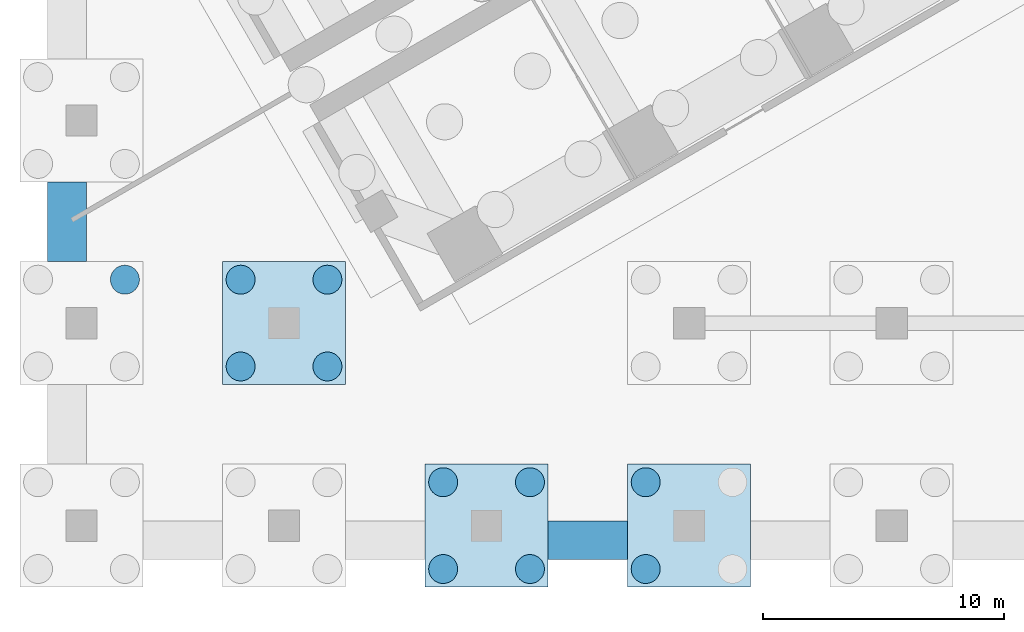
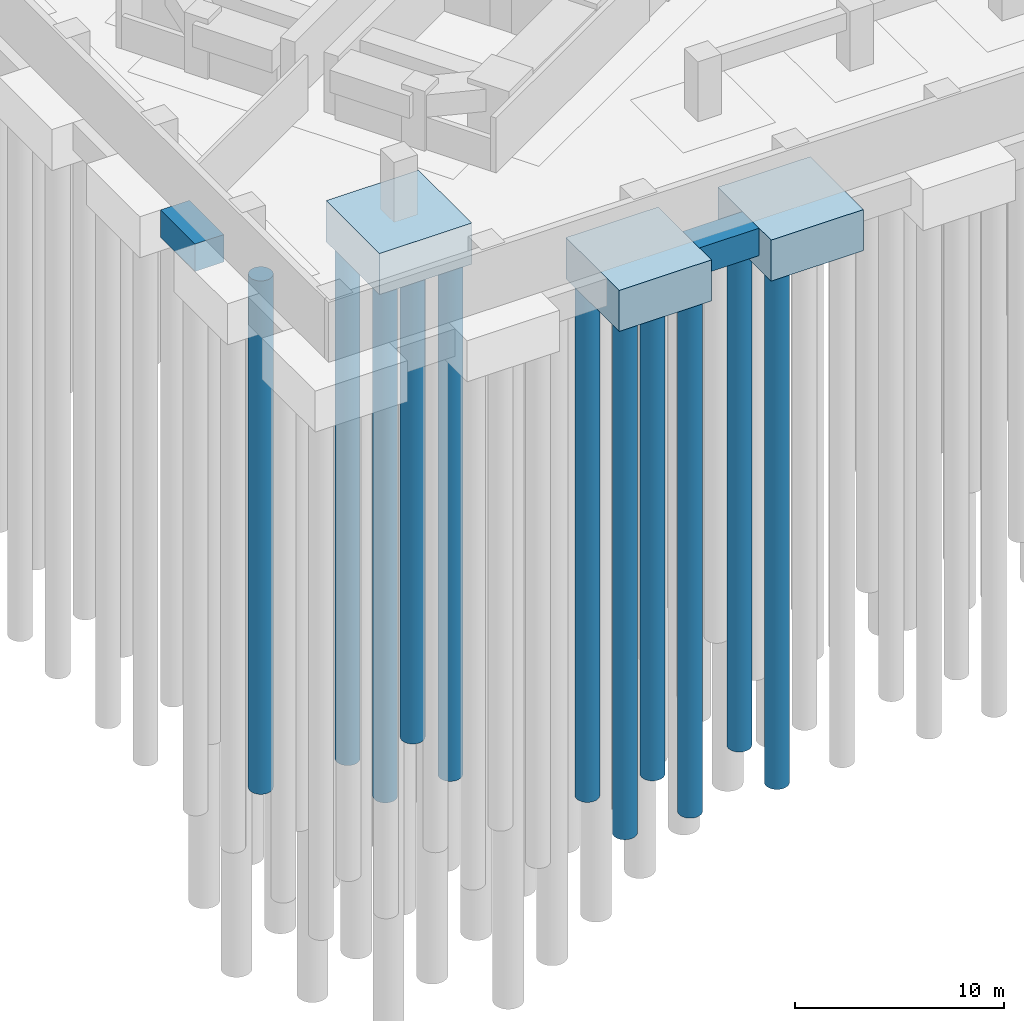
# One storey, part 2 of 73: 11 piles, 5 footings.
"""IFC4 building model written with IfcOpenShell, lengths in metres."""

from ifc_helpers import new_model, si_unit, direction, frame, origin, origin_2d, place, context, subcontext, project, spatial, polyline, circle, outline, extrude, material, material_profile, profile_set, type_object, element, save


model = new_model("IFC4")

# Units and contexts
model_context = context("Model", 3, precision=1e-05, world=origin(), true_north=direction((0.0, 1.0)))
body_context = subcontext(model_context, "Body", "Model", "MODEL_VIEW")
ifc_project = project(units=[si_unit("LENGTHUNIT", "METRE"), si_unit("AREAUNIT", "SQUARE_METRE"), si_unit("VOLUMEUNIT", "CUBIC_METRE"), si_unit("PLANEANGLEUNIT", "RADIAN"), si_unit("MASSUNIT", "GRAM", prefix="KILO")], contexts=[model_context])

# Site, building, storey
site_placement = place(None, origin())
site = spatial("IfcSite", under=ifc_project, at=site_placement, CompositionType="ELEMENT")
building_placement = place(site_placement, origin())
building = spatial("IfcBuilding", under=site, at=building_placement, Name="Impinga Residences", CompositionType="ELEMENT")
storey_placement = place(building_placement, frame((0.0, 0.0, -10.5)))
storey = spatial("IfcBuildingStorey", under=building, at=storey_placement, Name="B3", CompositionType="ELEMENT", Elevation=-10.5)

# Piles
ifc_material_1 = material(Name="Concrete C35/45", Category="concrete")
ifc_material_profile = material_profile(ifc_material_1, circle(Radius=0.60009765625, at=origin_2d()), Name="D1200")
ifc_profile_set = profile_set([ifc_material_profile], Name="Concrete C35/45")
pile_type = type_object("IfcPileType", Name="BP2 bored pile D1200", PredefinedType="BORED", material=ifc_profile_set)
pile_1_placement = place(storey_placement, frame((-48.60009765625, -31.800048828125, -2.39990234375), z_axis=(0.0, 0.0, -1.0), x_axis=(1.0, 0.0, 0.0)))
element("IfcPile", 1, at=pile_1_placement, inside=storey, type_object=pile_type, Name="Cap pile BP2 1/B-3", PredefinedType="BORED", context=body_context, shape_type="SweptSolid", body=[
    extrude(outline(polyline([(0.60009765625, 0.0), (0.59716796875, 0.058837890625), (0.58837890625, 0.116943359375), (0.57421875, 0.174072265625), (0.554443359375, 0.2294921875), (0.529052734375, 0.282958984375), (0.498779296875, 0.333251953125), (0.4638671875, 0.380615234375), (0.42431640625, 0.42431640625), (0.380615234375, 0.4638671875), (0.333251953125, 0.498779296875), (0.282958984375, 0.529052734375), (0.2294921875, 0.554443359375), (0.174072265625, 0.57421875), (0.116943359375, 0.58837890625), (0.058837890625, 0.59716796875), (0.0, 0.60009765625), (-0.058837890625, 0.59716796875), (-0.116943359375, 0.58837890625), (-0.174072265625, 0.57421875), (-0.2294921875, 0.554443359375), (-0.282958984375, 0.529052734375), (-0.333251953125, 0.498779296875), (-0.380615234375, 0.4638671875), (-0.42431640625, 0.42431640625), (-0.4638671875, 0.380615234375), (-0.498779296875, 0.333251953125), (-0.529052734375, 0.282958984375), (-0.554443359375, 0.2294921875), (-0.57421875, 0.174072265625), (-0.58837890625, 0.116943359375), (-0.59716796875, 0.058837890625), (-0.60009765625, 0.0), (-0.59716796875, -0.058837890625), (-0.58837890625, -0.116943359375), (-0.57421875, -0.174072265625), (-0.554443359375, -0.2294921875), (-0.529052734375, -0.282958984375), (-0.498779296875, -0.333251953125), (-0.4638671875, -0.380615234375), (-0.42431640625, -0.42431640625), (-0.380615234375, -0.4638671875), (-0.333251953125, -0.498779296875), (-0.282958984375, -0.529052734375), (-0.2294921875, -0.554443359375), (-0.174072265625, -0.57421875), (-0.116943359375, -0.58837890625), (-0.058837890625, -0.59716796875), (0.0, -0.60009765625), (0.058837890625, -0.59716796875), (0.116943359375, -0.58837890625), (0.174072265625, -0.57421875), (0.2294921875, -0.554443359375), (0.282958984375, -0.529052734375), (0.333251953125, -0.498779296875), (0.380615234375, -0.4638671875), (0.42431640625, -0.42431640625), (0.4638671875, -0.380615234375), (0.498779296875, -0.333251953125), (0.529052734375, -0.282958984375), (0.554443359375, -0.2294921875), (0.57421875, -0.174072265625), (0.58837890625, -0.116943359375), (0.59716796875, -0.058837890625), (0.60009765625, 0.0)])), origin(), (0.0, 0.0, 1.0), 30.0),
])
pile_2_placement = place(storey_placement, frame((-43.800048828125, -35.39990234375, -2.39990234375), z_axis=(0.0, 0.0, -1.0), x_axis=(1.0, 0.0, 0.0)))
element("IfcPile", 2, at=pile_2_placement, inside=storey, type_object=pile_type, Name="Cap pile BP2 2/B-1", PredefinedType="BORED", context=body_context, shape_type="SweptSolid", body=[
    extrude(outline(polyline([(0.60009765625, 0.0), (0.59716796875, 0.058837890625), (0.58837890625, 0.116943359375), (0.57421875, 0.174072265625), (0.554443359375, 0.2294921875), (0.529052734375, 0.282958984375), (0.498779296875, 0.333251953125), (0.4638671875, 0.380615234375), (0.42431640625, 0.42431640625), (0.380615234375, 0.4638671875), (0.333251953125, 0.498779296875), (0.282958984375, 0.529052734375), (0.2294921875, 0.554443359375), (0.174072265625, 0.57421875), (0.116943359375, 0.58837890625), (0.058837890625, 0.59716796875), (0.0, 0.60009765625), (-0.058837890625, 0.59716796875), (-0.116943359375, 0.58837890625), (-0.174072265625, 0.57421875), (-0.2294921875, 0.554443359375), (-0.282958984375, 0.529052734375), (-0.333251953125, 0.498779296875), (-0.380615234375, 0.4638671875), (-0.42431640625, 0.42431640625), (-0.4638671875, 0.380615234375), (-0.498779296875, 0.333251953125), (-0.529052734375, 0.282958984375), (-0.554443359375, 0.2294921875), (-0.57421875, 0.174072265625), (-0.58837890625, 0.116943359375), (-0.59716796875, 0.058837890625), (-0.60009765625, 0.0), (-0.59716796875, -0.058837890625), (-0.58837890625, -0.116943359375), (-0.57421875, -0.174072265625), (-0.554443359375, -0.2294921875), (-0.529052734375, -0.282958984375), (-0.498779296875, -0.333251953125), (-0.4638671875, -0.380615234375), (-0.42431640625, -0.42431640625), (-0.380615234375, -0.4638671875), (-0.333251953125, -0.498779296875), (-0.282958984375, -0.529052734375), (-0.2294921875, -0.554443359375), (-0.174072265625, -0.57421875), (-0.116943359375, -0.58837890625), (-0.058837890625, -0.59716796875), (0.0, -0.60009765625), (0.058837890625, -0.59716796875), (0.116943359375, -0.58837890625), (0.174072265625, -0.57421875), (0.2294921875, -0.554443359375), (0.282958984375, -0.529052734375), (0.333251953125, -0.498779296875), (0.380615234375, -0.4638671875), (0.42431640625, -0.42431640625), (0.4638671875, -0.380615234375), (0.498779296875, -0.333251953125), (0.529052734375, -0.282958984375), (0.554443359375, -0.2294921875), (0.57421875, -0.174072265625), (0.58837890625, -0.116943359375), (0.59716796875, -0.058837890625), (0.60009765625, 0.0)])), origin(), (0.0, 0.0, 1.0), 30.0),
])
pile_3_placement = place(storey_placement, frame((-40.199951171875, -35.39990234375, -2.39990234375), z_axis=(0.0, 0.0, -1.0), x_axis=(1.0, 0.0, 0.0)))
element("IfcPile", 3, at=pile_3_placement, inside=storey, type_object=pile_type, Name="Cap pile BP2 2/B-2", PredefinedType="BORED", context=body_context, shape_type="SweptSolid", body=[
    extrude(outline(polyline([(0.60009765625, 0.0), (0.59716796875, 0.058837890625), (0.58837890625, 0.116943359375), (0.57421875, 0.174072265625), (0.554443359375, 0.2294921875), (0.529052734375, 0.282958984375), (0.498779296875, 0.333251953125), (0.4638671875, 0.380615234375), (0.42431640625, 0.42431640625), (0.380615234375, 0.4638671875), (0.333251953125, 0.498779296875), (0.282958984375, 0.529052734375), (0.2294921875, 0.554443359375), (0.174072265625, 0.57421875), (0.116943359375, 0.58837890625), (0.058837890625, 0.59716796875), (0.0, 0.60009765625), (-0.058837890625, 0.59716796875), (-0.116943359375, 0.58837890625), (-0.174072265625, 0.57421875), (-0.2294921875, 0.554443359375), (-0.282958984375, 0.529052734375), (-0.333251953125, 0.498779296875), (-0.380615234375, 0.4638671875), (-0.42431640625, 0.42431640625), (-0.4638671875, 0.380615234375), (-0.498779296875, 0.333251953125), (-0.529052734375, 0.282958984375), (-0.554443359375, 0.2294921875), (-0.57421875, 0.174072265625), (-0.58837890625, 0.116943359375), (-0.59716796875, 0.058837890625), (-0.60009765625, 0.0), (-0.59716796875, -0.058837890625), (-0.58837890625, -0.116943359375), (-0.57421875, -0.174072265625), (-0.554443359375, -0.2294921875), (-0.529052734375, -0.282958984375), (-0.498779296875, -0.333251953125), (-0.4638671875, -0.380615234375), (-0.42431640625, -0.42431640625), (-0.380615234375, -0.4638671875), (-0.333251953125, -0.498779296875), (-0.282958984375, -0.529052734375), (-0.2294921875, -0.554443359375), (-0.174072265625, -0.57421875), (-0.116943359375, -0.58837890625), (-0.058837890625, -0.59716796875), (0.0, -0.60009765625), (0.058837890625, -0.59716796875), (0.116943359375, -0.58837890625), (0.174072265625, -0.57421875), (0.2294921875, -0.554443359375), (0.282958984375, -0.529052734375), (0.333251953125, -0.498779296875), (0.380615234375, -0.4638671875), (0.42431640625, -0.42431640625), (0.4638671875, -0.380615234375), (0.498779296875, -0.333251953125), (0.529052734375, -0.282958984375), (0.554443359375, -0.2294921875), (0.57421875, -0.174072265625), (0.58837890625, -0.116943359375), (0.59716796875, -0.058837890625), (0.60009765625, 0.0)])), origin(), (0.0, 0.0, 1.0), 30.0),
])
pile_4_placement = place(storey_placement, frame((-40.199951171875, -31.800048828125, -2.39990234375), z_axis=(0.0, 0.0, -1.0), x_axis=(1.0, 0.0, 0.0)))
element("IfcPile", 4, at=pile_4_placement, inside=storey, type_object=pile_type, Name="Cap pile BP2 2/B-3", PredefinedType="BORED", context=body_context, shape_type="SweptSolid", body=[
    extrude(outline(polyline([(0.60009765625, 0.0), (0.59716796875, 0.058837890625), (0.58837890625, 0.116943359375), (0.57421875, 0.174072265625), (0.554443359375, 0.2294921875), (0.529052734375, 0.282958984375), (0.498779296875, 0.333251953125), (0.4638671875, 0.380615234375), (0.42431640625, 0.42431640625), (0.380615234375, 0.4638671875), (0.333251953125, 0.498779296875), (0.282958984375, 0.529052734375), (0.2294921875, 0.554443359375), (0.174072265625, 0.57421875), (0.116943359375, 0.58837890625), (0.058837890625, 0.59716796875), (0.0, 0.60009765625), (-0.058837890625, 0.59716796875), (-0.116943359375, 0.58837890625), (-0.174072265625, 0.57421875), (-0.2294921875, 0.554443359375), (-0.282958984375, 0.529052734375), (-0.333251953125, 0.498779296875), (-0.380615234375, 0.4638671875), (-0.42431640625, 0.42431640625), (-0.4638671875, 0.380615234375), (-0.498779296875, 0.333251953125), (-0.529052734375, 0.282958984375), (-0.554443359375, 0.2294921875), (-0.57421875, 0.174072265625), (-0.58837890625, 0.116943359375), (-0.59716796875, 0.058837890625), (-0.60009765625, 0.0), (-0.59716796875, -0.058837890625), (-0.58837890625, -0.116943359375), (-0.57421875, -0.174072265625), (-0.554443359375, -0.2294921875), (-0.529052734375, -0.282958984375), (-0.498779296875, -0.333251953125), (-0.4638671875, -0.380615234375), (-0.42431640625, -0.42431640625), (-0.380615234375, -0.4638671875), (-0.333251953125, -0.498779296875), (-0.282958984375, -0.529052734375), (-0.2294921875, -0.554443359375), (-0.174072265625, -0.57421875), (-0.116943359375, -0.58837890625), (-0.058837890625, -0.59716796875), (0.0, -0.60009765625), (0.058837890625, -0.59716796875), (0.116943359375, -0.58837890625), (0.174072265625, -0.57421875), (0.2294921875, -0.554443359375), (0.282958984375, -0.529052734375), (0.333251953125, -0.498779296875), (0.380615234375, -0.4638671875), (0.42431640625, -0.42431640625), (0.4638671875, -0.380615234375), (0.498779296875, -0.333251953125), (0.529052734375, -0.282958984375), (0.554443359375, -0.2294921875), (0.57421875, -0.174072265625), (0.58837890625, -0.116943359375), (0.59716796875, -0.058837890625), (0.60009765625, 0.0)])), origin(), (0.0, 0.0, 1.0), 30.0),
])
pile_5_placement = place(storey_placement, frame((-43.800048828125, -31.800048828125, -2.39990234375), z_axis=(0.0, 0.0, -1.0), x_axis=(1.0, 0.0, 0.0)))
element("IfcPile", 5, at=pile_5_placement, inside=storey, type_object=pile_type, Name="Cap pile BP2 2/B-4", PredefinedType="BORED", context=body_context, shape_type="SweptSolid", body=[
    extrude(outline(polyline([(0.60009765625, 0.0), (0.59716796875, 0.058837890625), (0.58837890625, 0.116943359375), (0.57421875, 0.174072265625), (0.554443359375, 0.2294921875), (0.529052734375, 0.282958984375), (0.498779296875, 0.333251953125), (0.4638671875, 0.380615234375), (0.42431640625, 0.42431640625), (0.380615234375, 0.4638671875), (0.333251953125, 0.498779296875), (0.282958984375, 0.529052734375), (0.2294921875, 0.554443359375), (0.174072265625, 0.57421875), (0.116943359375, 0.58837890625), (0.058837890625, 0.59716796875), (0.0, 0.60009765625), (-0.058837890625, 0.59716796875), (-0.116943359375, 0.58837890625), (-0.174072265625, 0.57421875), (-0.2294921875, 0.554443359375), (-0.282958984375, 0.529052734375), (-0.333251953125, 0.498779296875), (-0.380615234375, 0.4638671875), (-0.42431640625, 0.42431640625), (-0.4638671875, 0.380615234375), (-0.498779296875, 0.333251953125), (-0.529052734375, 0.282958984375), (-0.554443359375, 0.2294921875), (-0.57421875, 0.174072265625), (-0.58837890625, 0.116943359375), (-0.59716796875, 0.058837890625), (-0.60009765625, 0.0), (-0.59716796875, -0.058837890625), (-0.58837890625, -0.116943359375), (-0.57421875, -0.174072265625), (-0.554443359375, -0.2294921875), (-0.529052734375, -0.282958984375), (-0.498779296875, -0.333251953125), (-0.4638671875, -0.380615234375), (-0.42431640625, -0.42431640625), (-0.380615234375, -0.4638671875), (-0.333251953125, -0.498779296875), (-0.282958984375, -0.529052734375), (-0.2294921875, -0.554443359375), (-0.174072265625, -0.57421875), (-0.116943359375, -0.58837890625), (-0.058837890625, -0.59716796875), (0.0, -0.60009765625), (0.058837890625, -0.59716796875), (0.116943359375, -0.58837890625), (0.174072265625, -0.57421875), (0.2294921875, -0.554443359375), (0.282958984375, -0.529052734375), (0.333251953125, -0.498779296875), (0.380615234375, -0.4638671875), (0.42431640625, -0.42431640625), (0.4638671875, -0.380615234375), (0.498779296875, -0.333251953125), (0.529052734375, -0.282958984375), (0.554443359375, -0.2294921875), (0.57421875, -0.174072265625), (0.58837890625, -0.116943359375), (0.59716796875, -0.058837890625), (0.60009765625, 0.0)])), origin(), (0.0, 0.0, 1.0), 30.0),
])
pile_6_placement = place(storey_placement, frame((-35.39990234375, -43.800048828125, -2.39990234375), z_axis=(0.0, 0.0, -1.0), x_axis=(1.0, 0.0, 0.0)))
element("IfcPile", 6, at=pile_6_placement, inside=storey, type_object=pile_type, Name="Cap pile BP2 3/A-1", PredefinedType="BORED", context=body_context, shape_type="SweptSolid", body=[
    extrude(outline(polyline([(0.60009765625, 0.0), (0.59716796875, 0.058837890625), (0.58837890625, 0.116943359375), (0.57421875, 0.174072265625), (0.554443359375, 0.2294921875), (0.529052734375, 0.282958984375), (0.498779296875, 0.333251953125), (0.4638671875, 0.380615234375), (0.42431640625, 0.42431640625), (0.380615234375, 0.4638671875), (0.333251953125, 0.498779296875), (0.282958984375, 0.529052734375), (0.2294921875, 0.554443359375), (0.174072265625, 0.57421875), (0.116943359375, 0.58837890625), (0.058837890625, 0.59716796875), (0.0, 0.60009765625), (-0.058837890625, 0.59716796875), (-0.116943359375, 0.58837890625), (-0.174072265625, 0.57421875), (-0.2294921875, 0.554443359375), (-0.282958984375, 0.529052734375), (-0.333251953125, 0.498779296875), (-0.380615234375, 0.4638671875), (-0.42431640625, 0.42431640625), (-0.4638671875, 0.380615234375), (-0.498779296875, 0.333251953125), (-0.529052734375, 0.282958984375), (-0.554443359375, 0.2294921875), (-0.57421875, 0.174072265625), (-0.58837890625, 0.116943359375), (-0.59716796875, 0.058837890625), (-0.60009765625, 0.0), (-0.59716796875, -0.058837890625), (-0.58837890625, -0.116943359375), (-0.57421875, -0.174072265625), (-0.554443359375, -0.2294921875), (-0.529052734375, -0.282958984375), (-0.498779296875, -0.333251953125), (-0.4638671875, -0.380615234375), (-0.42431640625, -0.42431640625), (-0.380615234375, -0.4638671875), (-0.333251953125, -0.498779296875), (-0.282958984375, -0.529052734375), (-0.2294921875, -0.554443359375), (-0.174072265625, -0.57421875), (-0.116943359375, -0.58837890625), (-0.058837890625, -0.59716796875), (0.0, -0.60009765625), (0.058837890625, -0.59716796875), (0.116943359375, -0.58837890625), (0.174072265625, -0.57421875), (0.2294921875, -0.554443359375), (0.282958984375, -0.529052734375), (0.333251953125, -0.498779296875), (0.380615234375, -0.4638671875), (0.42431640625, -0.42431640625), (0.4638671875, -0.380615234375), (0.498779296875, -0.333251953125), (0.529052734375, -0.282958984375), (0.554443359375, -0.2294921875), (0.57421875, -0.174072265625), (0.58837890625, -0.116943359375), (0.59716796875, -0.058837890625), (0.60009765625, 0.0)])), origin(), (0.0, 0.0, 1.0), 30.0),
])
pile_7_placement = place(storey_placement, frame((-31.800048828125, -43.800048828125, -2.39990234375), z_axis=(0.0, 0.0, -1.0), x_axis=(1.0, 0.0, 0.0)))
element("IfcPile", 7, at=pile_7_placement, inside=storey, type_object=pile_type, Name="Cap pile BP2 3/A-2", PredefinedType="BORED", context=body_context, shape_type="SweptSolid", body=[
    extrude(outline(polyline([(0.60009765625, 0.0), (0.59716796875, 0.058837890625), (0.58837890625, 0.116943359375), (0.57421875, 0.174072265625), (0.554443359375, 0.2294921875), (0.529052734375, 0.282958984375), (0.498779296875, 0.333251953125), (0.4638671875, 0.380615234375), (0.42431640625, 0.42431640625), (0.380615234375, 0.4638671875), (0.333251953125, 0.498779296875), (0.282958984375, 0.529052734375), (0.2294921875, 0.554443359375), (0.174072265625, 0.57421875), (0.116943359375, 0.58837890625), (0.058837890625, 0.59716796875), (0.0, 0.60009765625), (-0.058837890625, 0.59716796875), (-0.116943359375, 0.58837890625), (-0.174072265625, 0.57421875), (-0.2294921875, 0.554443359375), (-0.282958984375, 0.529052734375), (-0.333251953125, 0.498779296875), (-0.380615234375, 0.4638671875), (-0.42431640625, 0.42431640625), (-0.4638671875, 0.380615234375), (-0.498779296875, 0.333251953125), (-0.529052734375, 0.282958984375), (-0.554443359375, 0.2294921875), (-0.57421875, 0.174072265625), (-0.58837890625, 0.116943359375), (-0.59716796875, 0.058837890625), (-0.60009765625, 0.0), (-0.59716796875, -0.058837890625), (-0.58837890625, -0.116943359375), (-0.57421875, -0.174072265625), (-0.554443359375, -0.2294921875), (-0.529052734375, -0.282958984375), (-0.498779296875, -0.333251953125), (-0.4638671875, -0.380615234375), (-0.42431640625, -0.42431640625), (-0.380615234375, -0.4638671875), (-0.333251953125, -0.498779296875), (-0.282958984375, -0.529052734375), (-0.2294921875, -0.554443359375), (-0.174072265625, -0.57421875), (-0.116943359375, -0.58837890625), (-0.058837890625, -0.59716796875), (0.0, -0.60009765625), (0.058837890625, -0.59716796875), (0.116943359375, -0.58837890625), (0.174072265625, -0.57421875), (0.2294921875, -0.554443359375), (0.282958984375, -0.529052734375), (0.333251953125, -0.498779296875), (0.380615234375, -0.4638671875), (0.42431640625, -0.42431640625), (0.4638671875, -0.380615234375), (0.498779296875, -0.333251953125), (0.529052734375, -0.282958984375), (0.554443359375, -0.2294921875), (0.57421875, -0.174072265625), (0.58837890625, -0.116943359375), (0.59716796875, -0.058837890625), (0.60009765625, 0.0)])), origin(), (0.0, 0.0, 1.0), 30.0),
])
pile_8_placement = place(storey_placement, frame((-31.800048828125, -40.199951171875, -2.39990234375), z_axis=(0.0, 0.0, -1.0), x_axis=(1.0, 0.0, 0.0)))
element("IfcPile", 8, at=pile_8_placement, inside=storey, type_object=pile_type, Name="Cap pile BP2 3/A-3", PredefinedType="BORED", context=body_context, shape_type="SweptSolid", body=[
    extrude(outline(polyline([(0.60009765625, 0.0), (0.59716796875, 0.058837890625), (0.58837890625, 0.116943359375), (0.57421875, 0.174072265625), (0.554443359375, 0.2294921875), (0.529052734375, 0.282958984375), (0.498779296875, 0.333251953125), (0.4638671875, 0.380615234375), (0.42431640625, 0.42431640625), (0.380615234375, 0.4638671875), (0.333251953125, 0.498779296875), (0.282958984375, 0.529052734375), (0.2294921875, 0.554443359375), (0.174072265625, 0.57421875), (0.116943359375, 0.58837890625), (0.058837890625, 0.59716796875), (0.0, 0.60009765625), (-0.058837890625, 0.59716796875), (-0.116943359375, 0.58837890625), (-0.174072265625, 0.57421875), (-0.2294921875, 0.554443359375), (-0.282958984375, 0.529052734375), (-0.333251953125, 0.498779296875), (-0.380615234375, 0.4638671875), (-0.42431640625, 0.42431640625), (-0.4638671875, 0.380615234375), (-0.498779296875, 0.333251953125), (-0.529052734375, 0.282958984375), (-0.554443359375, 0.2294921875), (-0.57421875, 0.174072265625), (-0.58837890625, 0.116943359375), (-0.59716796875, 0.058837890625), (-0.60009765625, 0.0), (-0.59716796875, -0.058837890625), (-0.58837890625, -0.116943359375), (-0.57421875, -0.174072265625), (-0.554443359375, -0.2294921875), (-0.529052734375, -0.282958984375), (-0.498779296875, -0.333251953125), (-0.4638671875, -0.380615234375), (-0.42431640625, -0.42431640625), (-0.380615234375, -0.4638671875), (-0.333251953125, -0.498779296875), (-0.282958984375, -0.529052734375), (-0.2294921875, -0.554443359375), (-0.174072265625, -0.57421875), (-0.116943359375, -0.58837890625), (-0.058837890625, -0.59716796875), (0.0, -0.60009765625), (0.058837890625, -0.59716796875), (0.116943359375, -0.58837890625), (0.174072265625, -0.57421875), (0.2294921875, -0.554443359375), (0.282958984375, -0.529052734375), (0.333251953125, -0.498779296875), (0.380615234375, -0.4638671875), (0.42431640625, -0.42431640625), (0.4638671875, -0.380615234375), (0.498779296875, -0.333251953125), (0.529052734375, -0.282958984375), (0.554443359375, -0.2294921875), (0.57421875, -0.174072265625), (0.58837890625, -0.116943359375), (0.59716796875, -0.058837890625), (0.60009765625, 0.0)])), origin(), (0.0, 0.0, 1.0), 30.0),
])
pile_9_placement = place(storey_placement, frame((-35.39990234375, -40.199951171875, -2.39990234375), z_axis=(0.0, 0.0, -1.0), x_axis=(1.0, 0.0, 0.0)))
element("IfcPile", 9, at=pile_9_placement, inside=storey, type_object=pile_type, Name="Cap pile BP2 3/A-4", PredefinedType="BORED", context=body_context, shape_type="SweptSolid", body=[
    extrude(outline(polyline([(0.60009765625, 0.0), (0.59716796875, 0.058837890625), (0.58837890625, 0.116943359375), (0.57421875, 0.174072265625), (0.554443359375, 0.2294921875), (0.529052734375, 0.282958984375), (0.498779296875, 0.333251953125), (0.4638671875, 0.380615234375), (0.42431640625, 0.42431640625), (0.380615234375, 0.4638671875), (0.333251953125, 0.498779296875), (0.282958984375, 0.529052734375), (0.2294921875, 0.554443359375), (0.174072265625, 0.57421875), (0.116943359375, 0.58837890625), (0.058837890625, 0.59716796875), (0.0, 0.60009765625), (-0.058837890625, 0.59716796875), (-0.116943359375, 0.58837890625), (-0.174072265625, 0.57421875), (-0.2294921875, 0.554443359375), (-0.282958984375, 0.529052734375), (-0.333251953125, 0.498779296875), (-0.380615234375, 0.4638671875), (-0.42431640625, 0.42431640625), (-0.4638671875, 0.380615234375), (-0.498779296875, 0.333251953125), (-0.529052734375, 0.282958984375), (-0.554443359375, 0.2294921875), (-0.57421875, 0.174072265625), (-0.58837890625, 0.116943359375), (-0.59716796875, 0.058837890625), (-0.60009765625, 0.0), (-0.59716796875, -0.058837890625), (-0.58837890625, -0.116943359375), (-0.57421875, -0.174072265625), (-0.554443359375, -0.2294921875), (-0.529052734375, -0.282958984375), (-0.498779296875, -0.333251953125), (-0.4638671875, -0.380615234375), (-0.42431640625, -0.42431640625), (-0.380615234375, -0.4638671875), (-0.333251953125, -0.498779296875), (-0.282958984375, -0.529052734375), (-0.2294921875, -0.554443359375), (-0.174072265625, -0.57421875), (-0.116943359375, -0.58837890625), (-0.058837890625, -0.59716796875), (0.0, -0.60009765625), (0.058837890625, -0.59716796875), (0.116943359375, -0.58837890625), (0.174072265625, -0.57421875), (0.2294921875, -0.554443359375), (0.282958984375, -0.529052734375), (0.333251953125, -0.498779296875), (0.380615234375, -0.4638671875), (0.42431640625, -0.42431640625), (0.4638671875, -0.380615234375), (0.498779296875, -0.333251953125), (0.529052734375, -0.282958984375), (0.554443359375, -0.2294921875), (0.57421875, -0.174072265625), (0.58837890625, -0.116943359375), (0.59716796875, -0.058837890625), (0.60009765625, 0.0)])), origin(), (0.0, 0.0, 1.0), 30.0),
])
pile_10_placement = place(storey_placement, frame((-27.0, -43.800048828125, -2.39990234375), z_axis=(0.0, 0.0, -1.0), x_axis=(1.0, 0.0, 0.0)))
element("IfcPile", 10, at=pile_10_placement, inside=storey, type_object=pile_type, Name="Cap pile BP2 4/A-1", PredefinedType="BORED", context=body_context, shape_type="SweptSolid", body=[
    extrude(outline(polyline([(0.60009765625, 0.0), (0.59716796875, 0.058837890625), (0.58837890625, 0.116943359375), (0.57421875, 0.174072265625), (0.554443359375, 0.2294921875), (0.529052734375, 0.282958984375), (0.498779296875, 0.333251953125), (0.4638671875, 0.380615234375), (0.42431640625, 0.42431640625), (0.380615234375, 0.4638671875), (0.333251953125, 0.498779296875), (0.282958984375, 0.529052734375), (0.2294921875, 0.554443359375), (0.174072265625, 0.57421875), (0.116943359375, 0.58837890625), (0.058837890625, 0.59716796875), (0.0, 0.60009765625), (-0.058837890625, 0.59716796875), (-0.116943359375, 0.58837890625), (-0.174072265625, 0.57421875), (-0.2294921875, 0.554443359375), (-0.282958984375, 0.529052734375), (-0.333251953125, 0.498779296875), (-0.380615234375, 0.4638671875), (-0.42431640625, 0.42431640625), (-0.4638671875, 0.380615234375), (-0.498779296875, 0.333251953125), (-0.529052734375, 0.282958984375), (-0.554443359375, 0.2294921875), (-0.57421875, 0.174072265625), (-0.58837890625, 0.116943359375), (-0.59716796875, 0.058837890625), (-0.60009765625, 0.0), (-0.59716796875, -0.058837890625), (-0.58837890625, -0.116943359375), (-0.57421875, -0.174072265625), (-0.554443359375, -0.2294921875), (-0.529052734375, -0.282958984375), (-0.498779296875, -0.333251953125), (-0.4638671875, -0.380615234375), (-0.42431640625, -0.42431640625), (-0.380615234375, -0.4638671875), (-0.333251953125, -0.498779296875), (-0.282958984375, -0.529052734375), (-0.2294921875, -0.554443359375), (-0.174072265625, -0.57421875), (-0.116943359375, -0.58837890625), (-0.058837890625, -0.59716796875), (0.0, -0.60009765625), (0.058837890625, -0.59716796875), (0.116943359375, -0.58837890625), (0.174072265625, -0.57421875), (0.2294921875, -0.554443359375), (0.282958984375, -0.529052734375), (0.333251953125, -0.498779296875), (0.380615234375, -0.4638671875), (0.42431640625, -0.42431640625), (0.4638671875, -0.380615234375), (0.498779296875, -0.333251953125), (0.529052734375, -0.282958984375), (0.554443359375, -0.2294921875), (0.57421875, -0.174072265625), (0.58837890625, -0.116943359375), (0.59716796875, -0.058837890625), (0.60009765625, 0.0)])), origin(), (0.0, 0.0, 1.0), 30.0),
])
pile_11_placement = place(storey_placement, frame((-27.0, -40.199951171875, -2.39990234375), z_axis=(0.0, 0.0, -1.0), x_axis=(1.0, 0.0, 0.0)))
element("IfcPile", 11, at=pile_11_placement, inside=storey, type_object=pile_type, Name="Cap pile BP2 4/A-4", PredefinedType="BORED", context=body_context, shape_type="SweptSolid", body=[
    extrude(outline(polyline([(0.60009765625, 0.0), (0.59716796875, 0.058837890625), (0.58837890625, 0.116943359375), (0.57421875, 0.174072265625), (0.554443359375, 0.2294921875), (0.529052734375, 0.282958984375), (0.498779296875, 0.333251953125), (0.4638671875, 0.380615234375), (0.42431640625, 0.42431640625), (0.380615234375, 0.4638671875), (0.333251953125, 0.498779296875), (0.282958984375, 0.529052734375), (0.2294921875, 0.554443359375), (0.174072265625, 0.57421875), (0.116943359375, 0.58837890625), (0.058837890625, 0.59716796875), (0.0, 0.60009765625), (-0.058837890625, 0.59716796875), (-0.116943359375, 0.58837890625), (-0.174072265625, 0.57421875), (-0.2294921875, 0.554443359375), (-0.282958984375, 0.529052734375), (-0.333251953125, 0.498779296875), (-0.380615234375, 0.4638671875), (-0.42431640625, 0.42431640625), (-0.4638671875, 0.380615234375), (-0.498779296875, 0.333251953125), (-0.529052734375, 0.282958984375), (-0.554443359375, 0.2294921875), (-0.57421875, 0.174072265625), (-0.58837890625, 0.116943359375), (-0.59716796875, 0.058837890625), (-0.60009765625, 0.0), (-0.59716796875, -0.058837890625), (-0.58837890625, -0.116943359375), (-0.57421875, -0.174072265625), (-0.554443359375, -0.2294921875), (-0.529052734375, -0.282958984375), (-0.498779296875, -0.333251953125), (-0.4638671875, -0.380615234375), (-0.42431640625, -0.42431640625), (-0.380615234375, -0.4638671875), (-0.333251953125, -0.498779296875), (-0.282958984375, -0.529052734375), (-0.2294921875, -0.554443359375), (-0.174072265625, -0.57421875), (-0.116943359375, -0.58837890625), (-0.058837890625, -0.59716796875), (0.0, -0.60009765625), (0.058837890625, -0.59716796875), (0.116943359375, -0.58837890625), (0.174072265625, -0.57421875), (0.2294921875, -0.554443359375), (0.282958984375, -0.529052734375), (0.333251953125, -0.498779296875), (0.380615234375, -0.4638671875), (0.42431640625, -0.42431640625), (0.4638671875, -0.380615234375), (0.498779296875, -0.333251953125), (0.529052734375, -0.282958984375), (0.554443359375, -0.2294921875), (0.57421875, -0.174072265625), (0.58837890625, -0.116943359375), (0.59716796875, -0.058837890625), (0.60009765625, 0.0)])), origin(), (0.0, 0.0, 1.0), 30.0),
])

# Footings
ifc_material_2 = material(Name="Concrete C45/55", Category="concrete")
footing_type_1 = type_object("IfcFootingType", Name="PC4 four-pile cap 5100 square 2400 deep", PredefinedType="PILE_CAP", material=ifc_material_2)
footing_1_placement = place(storey_placement, frame((0.0, 0.0, -2.39990234375)))
element("IfcFooting", 12, at=footing_1_placement, inside=storey, type_object=footing_type_1, Name="Pile cap PC4 2/B", PredefinedType="PILE_CAP", context=body_context, shape_type="SweptSolid", body=[
    extrude(outline(polyline([(-39.449951171875, -36.14990234375), (-39.449951171875, -31.050048828125), (-44.550048828125, -31.050048828125), (-44.550048828125, -36.14990234375), (-39.449951171875, -36.14990234375)])), origin(), (0.0, 0.0, 1.0), 2.39990234375),
])
footing_2_placement = place(storey_placement, frame((0.0, 0.0, -2.39990234375)))
element("IfcFooting", 13, at=footing_2_placement, inside=storey, type_object=footing_type_1, Name="Pile cap PC4 3/A", PredefinedType="PILE_CAP", context=body_context, shape_type="SweptSolid", body=[
    extrude(outline(polyline([(-31.050048828125, -44.550048828125), (-31.050048828125, -39.449951171875), (-36.14990234375, -39.449951171875), (-36.14990234375, -44.550048828125), (-31.050048828125, -44.550048828125)])), origin(), (0.0, 0.0, 1.0), 2.39990234375),
])
footing_3_placement = place(storey_placement, frame((0.0, 0.0, -2.39990234375)))
element("IfcFooting", 14, at=footing_3_placement, inside=storey, type_object=footing_type_1, Name="Pile cap PC4 4/A", PredefinedType="PILE_CAP", context=body_context, shape_type="SweptSolid", body=[
    extrude(outline(polyline([(-22.64990234375, -44.550048828125), (-22.64990234375, -39.449951171875), (-27.75, -39.449951171875), (-27.75, -44.550048828125), (-22.64990234375, -44.550048828125)])), origin(), (0.0, 0.0, 1.0), 2.39990234375),
])
footing_type_2 = type_object("IfcFootingType", Name="SF1 strip footing 1600 wide 1600 deep", PredefinedType="STRIP_FOOTING", material=ifc_material_2)
footing_4_placement = place(storey_placement, frame((0.0, 0.0, -1.60009765625)))
element("IfcFooting", 15, at=footing_4_placement, inside=storey, type_object=footing_type_2, Name="Strip footing SF1 S 10", PredefinedType="STRIP_FOOTING", context=body_context, shape_type="SweptSolid", body=[
    extrude(outline(polyline([(-31.050048828125, -43.39990234375), (-31.050048828125, -41.800048828125), (-27.75, -41.800048828125), (-27.75, -43.39990234375), (-31.050048828125, -43.39990234375)])), origin(), (0.0, 0.0, 1.0), 1.60009765625),
])
footing_5_placement = place(storey_placement, frame((0.0, 0.0, -1.60009765625)))
element("IfcFooting", 16, at=footing_5_placement, inside=storey, type_object=footing_type_2, Name="Strip footing SF1 W 10", PredefinedType="STRIP_FOOTING", context=body_context, shape_type="SweptSolid", body=[
    extrude(outline(polyline([(-50.199951171875, -31.050048828125), (-51.800048828125, -31.050048828125), (-51.800048828125, -27.75), (-50.199951171875, -27.75), (-50.199951171875, -31.050048828125)])), origin(), (0.0, 0.0, 1.0), 1.60009765625),
])

save(model, "model.ifc")
